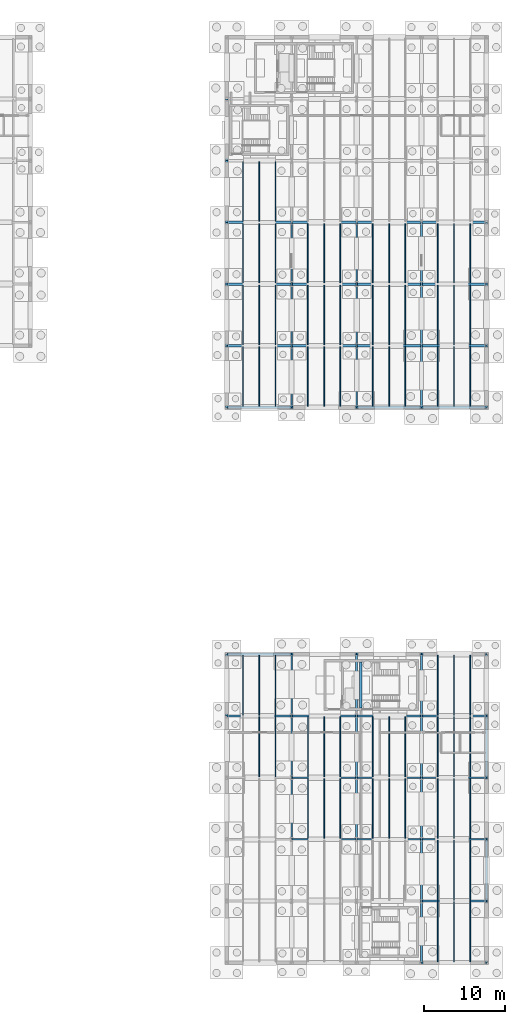
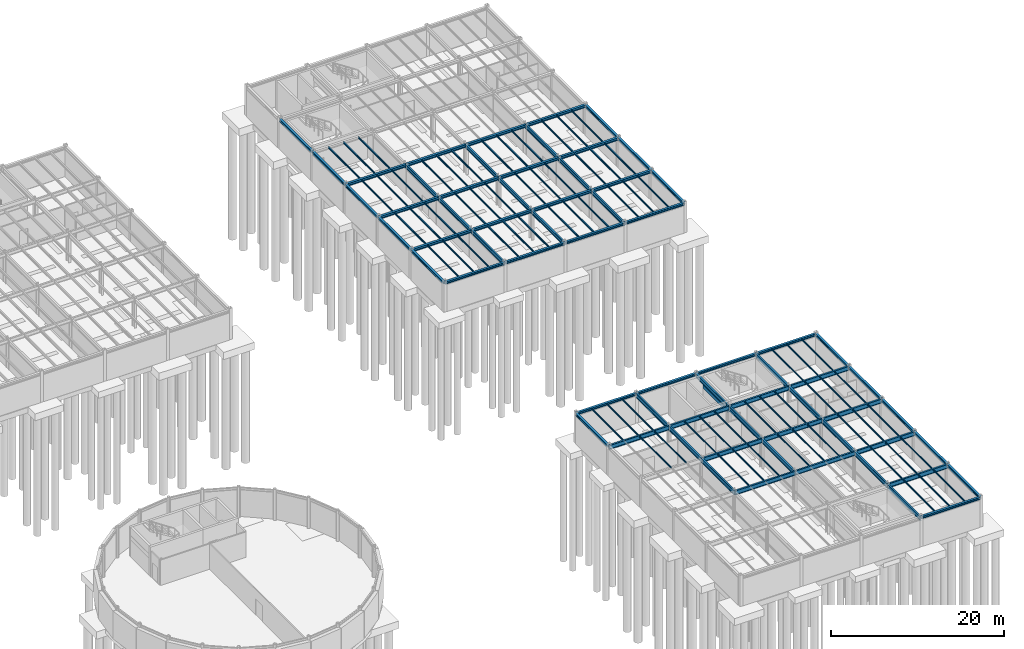
# One storey, part 22 of 33: 138 beams.
"""IFC4 building model written with IfcOpenShell, lengths in metres."""

from ifc_helpers import new_model, si_unit, direction, frame, origin, origin_2d, place, context, subcontext, project, spatial, rectangle, i_section, extrude, material, material_profile, profile_set, type_object, element, save


model = new_model("IFC4")

# Units and contexts
model_context = context("Model", 3, precision=1e-05, world=origin(), true_north=direction((0.0, 1.0)))
body_context = subcontext(model_context, "Body", "Model", "MODEL_VIEW")
ifc_project = project(units=[si_unit("LENGTHUNIT", "METRE"), si_unit("AREAUNIT", "SQUARE_METRE"), si_unit("VOLUMEUNIT", "CUBIC_METRE"), si_unit("PLANEANGLEUNIT", "RADIAN"), si_unit("MASSUNIT", "GRAM", prefix="KILO")], contexts=[model_context])

# Site, building, storey
site_placement = place(None, origin())
site = spatial("IfcSite", under=ifc_project, at=site_placement, CompositionType="ELEMENT")
building_placement = place(site_placement, origin())
building = spatial("IfcBuilding", under=site, at=building_placement, Name="Montecoro Central Library", CompositionType="ELEMENT")
storey_placement = place(building_placement, frame((0.0, 0.0, -4.419921875)))
storey = spatial("IfcBuildingStorey", under=building, at=storey_placement, Name="B1", CompositionType="ELEMENT", Elevation=-4.419921875)

# Beams
ifc_material_1 = material(Name="Steel S355", Category="steel")
ifc_material_profile_1 = material_profile(ifc_material_1, i_section(OverallWidth=0.300048828125, OverallDepth=0.389892578125, WebThickness=0.010986328125, FlangeThickness=0.01904296875, at=origin_2d()), Name="HEA 400")
ifc_profile_set_1 = profile_set([ifc_material_profile_1], Name="Steel S355")
beam_type_1 = type_object("IfcBeamType", Name="BM-G-HEA400", PredefinedType="USERDEFINED", material=ifc_profile_set_1)
for number, where, z_axis, x_axis, name in (
    (1, (141.0048828125, 81.0, 3.969970703125), (1.0, 0.0, 0.0), (0.0, 1.0, 0.0), "V5-B1-BX-1819-L"),
    (2, (149.0048828125, 81.0, 3.969970703125), (1.0, 0.0, 0.0), (0.0, 1.0, 0.0), "V5-B1-BX-1920-L"),
    (3, (157.0048828125, 81.0, 3.969970703125), (1.0, 0.0, 0.0), (0.0, 1.0, 0.0), "V5-B1-BX-2021-L"),
    (4, (165.0048828125, 81.0, 3.969970703125), (1.0, 0.0, 0.0), (0.0, 1.0, 0.0), "V5-B1-BX-2122-L"),
    (5, (141.0048828125, 88.60009765625, 3.969970703125), (1.0, 0.0, 0.0), (0.0, 1.0, 0.0), "V5-B1-BX-1819-M"),
    (6, (149.0048828125, 88.60009765625, 3.969970703125), (1.0, 0.0, 0.0), (0.0, 1.0, 0.0), "V5-B1-BX-1920-M"),
    (7, (157.0048828125, 88.60009765625, 3.969970703125), (1.0, 0.0, 0.0), (0.0, 1.0, 0.0), "V5-B1-BX-2021-M"),
    (8, (165.0048828125, 88.60009765625, 3.969970703125), (1.0, 0.0, 0.0), (0.0, 1.0, 0.0), "V5-B1-BX-2122-M"),
    (9, (141.0048828125, 96.199951171875, 3.969970703125), (1.0, 0.0, 0.0), (0.0, 1.0, 0.0), "V5-B1-BX-1819-N"),
    (10, (149.0048828125, 96.199951171875, 3.969970703125), (1.0, 0.0, 0.0), (0.0, 1.0, 0.0), "V5-B1-BX-1920-N"),
    (11, (157.0048828125, 96.199951171875, 3.969970703125), (1.0, 0.0, 0.0), (0.0, 1.0, 0.0), "V5-B1-BX-2021-N"),
    (12, (165.0048828125, 96.199951171875, 3.969970703125), (1.0, 0.0, 0.0), (0.0, 1.0, 0.0), "V5-B1-BX-2122-N"),
):
    element("IfcBeam", number, at=place(storey_placement, frame(where, z_axis=z_axis, x_axis=x_axis)), inside=storey, type_object=beam_type_1, Name=name, ObjectType="GIRDER", PredefinedType="USERDEFINED", context=body_context, shape_type="SweptSolid", body=[
        extrude(i_section(OverallWidth=0.300048828125, OverallDepth=0.389892578125, WebThickness=0.010986328125, FlangeThickness=0.01904296875, at=origin_2d()), origin(), (0.0, 0.0, 1.0), 7.990234375),
    ])
ifc_material_2 = material(Name="Steel S355J2", Category="steel")
ifc_material_profile_2 = material_profile(ifc_material_2, i_section(OverallWidth=0.2099609375, OverallDepth=0.550048828125, WebThickness=0.010986328125, FlangeThickness=0.01708984375, at=origin_2d()), Name="IPE 550")
ifc_profile_set_2 = profile_set([ifc_material_profile_2], Name="Steel S355J2")
beam_type_2 = type_object("IfcBeamType", Name="BM-G-IPE550", PredefinedType="USERDEFINED", material=ifc_profile_set_2)
for number, where, z_axis, x_axis, name in (
    (13, (149.0, 73.405029296875, 3.889892578125), (0.0, 1.0, 0.0), (-1.0, 0.0, 0.0), "V5-B1-BY-19-KL"),
    (14, (149.0, 81.0048828125, 3.889892578125), (0.0, 1.0, 0.0), (-1.0, 0.0, 0.0), "V5-B1-BY-19-LM"),
    (15, (149.0, 88.60498046875, 3.889892578125), (0.0, 1.0, 0.0), (-1.0, 0.0, 0.0), "V5-B1-BY-19-MN"),
    (16, (157.0, 73.405029296875, 3.889892578125), (0.0, 1.0, 0.0), (-1.0, 0.0, 0.0), "V5-B1-BY-20-KL"),
    (17, (157.0, 81.0048828125, 3.889892578125), (0.0, 1.0, 0.0), (-1.0, 0.0, 0.0), "V5-B1-BY-20-LM"),
    (18, (157.0, 88.60498046875, 3.889892578125), (0.0, 1.0, 0.0), (-1.0, 0.0, 0.0), "V5-B1-BY-20-MN"),
    (19, (165.0, 73.405029296875, 3.889892578125), (0.0, 1.0, 0.0), (-1.0, 0.0, 0.0), "V5-B1-BY-21-KL"),
    (20, (165.0, 81.0048828125, 3.889892578125), (0.0, 1.0, 0.0), (-1.0, 0.0, 0.0), "V5-B1-BY-21-LM"),
    (21, (165.0, 88.60498046875, 3.889892578125), (0.0, 1.0, 0.0), (-1.0, 0.0, 0.0), "V5-B1-BY-21-MN"),
):
    element("IfcBeam", number, at=place(storey_placement, frame(where, z_axis=z_axis, x_axis=x_axis)), inside=storey, type_object=beam_type_2, Name=name, ObjectType="GIRDER", PredefinedType="USERDEFINED", context=body_context, shape_type="SweptSolid", body=[
        extrude(i_section(OverallWidth=0.2099609375, OverallDepth=0.550048828125, WebThickness=0.010986328125, FlangeThickness=0.01708984375, at=origin_2d()), origin(), (0.0, 0.0, 1.0), 7.590087890625),
    ])
ifc_material_profile_3 = material_profile(ifc_material_2, i_section(OverallWidth=0.219970703125, OverallDepth=0.60009765625, WebThickness=0.011962890625, FlangeThickness=0.01904296875, at=origin_2d()), Name="IPE 600")
ifc_profile_set_3 = profile_set([ifc_material_profile_3], Name="Steel S355J2")
beam_type_3 = type_object("IfcBeamType", Name="BM-G-IPE600", PredefinedType="USERDEFINED", material=ifc_profile_set_3)
for number, where, z_axis, x_axis, name in (
    (22, (165.0048828125, 12.60009765625, 3.864990234375), (1.0, 0.0, 0.0), (0.0, 1.0, 0.0), "V6-B1-BX-2122-B"),
    (23, (149.0048828125, 20.199951171875, 3.864990234375), (1.0, 0.0, 0.0), (0.0, 1.0, 0.0), "V6-B1-BX-1920-C"),
    (24, (157.0048828125, 20.199951171875, 3.864990234375), (1.0, 0.0, 0.0), (0.0, 1.0, 0.0), "V6-B1-BX-2021-C"),
    (25, (165.0048828125, 20.199951171875, 3.864990234375), (1.0, 0.0, 0.0), (0.0, 1.0, 0.0), "V6-B1-BX-2122-C"),
    (26, (149.0048828125, 27.800048828125, 3.864990234375), (1.0, 0.0, 0.0), (0.0, 1.0, 0.0), "V6-B1-BX-1920-D"),
    (27, (157.0048828125, 27.800048828125, 3.864990234375), (1.0, 0.0, 0.0), (0.0, 1.0, 0.0), "V6-B1-BX-2021-D"),
    (28, (165.0048828125, 27.800048828125, 3.864990234375), (1.0, 0.0, 0.0), (0.0, 1.0, 0.0), "V6-B1-BX-2122-D"),
    (29, (141.0048828125, 35.39990234375, 3.864990234375), (1.0, 0.0, 0.0), (0.0, 1.0, 0.0), "V6-B1-BX-1819-E"),
    (30, (149.0048828125, 35.39990234375, 3.864990234375), (1.0, 0.0, 0.0), (0.0, 1.0, 0.0), "V6-B1-BX-1920-E"),
    (31, (157.0048828125, 35.39990234375, 3.864990234375), (1.0, 0.0, 0.0), (0.0, 1.0, 0.0), "V6-B1-BX-2021-E"),
    (32, (165.0048828125, 35.39990234375, 3.864990234375), (1.0, 0.0, 0.0), (0.0, 1.0, 0.0), "V6-B1-BX-2122-E"),
):
    element("IfcBeam", number, at=place(storey_placement, frame(where, z_axis=z_axis, x_axis=x_axis)), inside=storey, type_object=beam_type_3, Name=name, ObjectType="GIRDER", PredefinedType="USERDEFINED", context=body_context, shape_type="SweptSolid", body=[
        extrude(i_section(OverallWidth=0.219970703125, OverallDepth=0.60009765625, WebThickness=0.011962890625, FlangeThickness=0.01904296875, at=origin_2d()), origin(), (0.0, 0.0, 1.0), 7.990234375),
    ])
beam_1_placement = place(storey_placement, frame((149.0, 20.205078125, 3.864990234375), z_axis=(0.0, 1.0, 0.0), x_axis=(-1.0, 0.0, 0.0)))
element("IfcBeam", 33, at=beam_1_placement, inside=storey, type_object=beam_type_3, Name="V6-B1-BY-19-CD", ObjectType="GIRDER", PredefinedType="USERDEFINED", context=body_context, shape_type="SweptSolid", body=[
    extrude(i_section(OverallWidth=0.219970703125, OverallDepth=0.60009765625, WebThickness=0.011962890625, FlangeThickness=0.01904296875, at=origin_2d()), origin(), (0.0, 0.0, 1.0), 7.58984375),
])
for number, where, z_axis, x_axis, name in (
    (34, (149.0, 27.804931640625, 3.864990234375), (0.0, 1.0, 0.0), (-1.0, 0.0, 0.0), "V6-B1-BY-19-DE"),
    (35, (149.0, 35.405029296875, 3.864990234375), (0.0, 1.0, 0.0), (-1.0, 0.0, 0.0), "V6-B1-BY-19-EF"),
):
    element("IfcBeam", number, at=place(storey_placement, frame(where, z_axis=z_axis, x_axis=x_axis)), inside=storey, type_object=beam_type_3, Name=name, ObjectType="GIRDER", PredefinedType="USERDEFINED", context=body_context, shape_type="SweptSolid", body=[
        extrude(i_section(OverallWidth=0.219970703125, OverallDepth=0.60009765625, WebThickness=0.011962890625, FlangeThickness=0.01904296875, at=origin_2d()), origin(), (0.0, 0.0, 1.0), 7.590087890625),
    ])
beam_2_placement = place(storey_placement, frame((157.0, 20.205078125, 3.864990234375), z_axis=(0.0, 1.0, 0.0), x_axis=(-1.0, 0.0, 0.0)))
element("IfcBeam", 36, at=beam_2_placement, inside=storey, type_object=beam_type_3, Name="V6-B1-BY-20-CD", ObjectType="GIRDER", PredefinedType="USERDEFINED", context=body_context, shape_type="SweptSolid", body=[
    extrude(i_section(OverallWidth=0.219970703125, OverallDepth=0.60009765625, WebThickness=0.011962890625, FlangeThickness=0.01904296875, at=origin_2d()), origin(), (0.0, 0.0, 1.0), 7.58984375),
])
for number, where, z_axis, x_axis, name in (
    (37, (157.0, 27.804931640625, 3.864990234375), (0.0, 1.0, 0.0), (-1.0, 0.0, 0.0), "V6-B1-BY-20-DE"),
    (38, (157.0, 35.405029296875, 3.864990234375), (0.0, 1.0, 0.0), (-1.0, 0.0, 0.0), "V6-B1-BY-20-EF"),
    (39, (165.0, 5.0048828125, 3.864990234375), (0.0, 1.0, 0.0), (-1.0, 0.0, 0.0), "V6-B1-BY-21-AB"),
    (40, (165.0, 12.60498046875, 3.864990234375), (0.0, 1.0, 0.0), (-1.0, 0.0, 0.0), "V6-B1-BY-21-BC"),
):
    element("IfcBeam", number, at=place(storey_placement, frame(where, z_axis=z_axis, x_axis=x_axis)), inside=storey, type_object=beam_type_3, Name=name, ObjectType="GIRDER", PredefinedType="USERDEFINED", context=body_context, shape_type="SweptSolid", body=[
        extrude(i_section(OverallWidth=0.219970703125, OverallDepth=0.60009765625, WebThickness=0.011962890625, FlangeThickness=0.01904296875, at=origin_2d()), origin(), (0.0, 0.0, 1.0), 7.590087890625),
    ])
beam_3_placement = place(storey_placement, frame((165.0, 20.205078125, 3.864990234375), z_axis=(0.0, 1.0, 0.0), x_axis=(-1.0, 0.0, 0.0)))
element("IfcBeam", 41, at=beam_3_placement, inside=storey, type_object=beam_type_3, Name="V6-B1-BY-21-CD", ObjectType="GIRDER", PredefinedType="USERDEFINED", context=body_context, shape_type="SweptSolid", body=[
    extrude(i_section(OverallWidth=0.219970703125, OverallDepth=0.60009765625, WebThickness=0.011962890625, FlangeThickness=0.01904296875, at=origin_2d()), origin(), (0.0, 0.0, 1.0), 7.58984375),
])
for number, where, z_axis, x_axis, name in (
    (42, (165.0, 27.804931640625, 3.864990234375), (0.0, 1.0, 0.0), (-1.0, 0.0, 0.0), "V6-B1-BY-21-DE"),
    (43, (165.0, 35.405029296875, 3.864990234375), (0.0, 1.0, 0.0), (-1.0, 0.0, 0.0), "V6-B1-BY-21-EF"),
):
    element("IfcBeam", number, at=place(storey_placement, frame(where, z_axis=z_axis, x_axis=x_axis)), inside=storey, type_object=beam_type_3, Name=name, ObjectType="GIRDER", PredefinedType="USERDEFINED", context=body_context, shape_type="SweptSolid", body=[
        extrude(i_section(OverallWidth=0.219970703125, OverallDepth=0.60009765625, WebThickness=0.011962890625, FlangeThickness=0.01904296875, at=origin_2d()), origin(), (0.0, 0.0, 1.0), 7.590087890625),
    ])
ifc_material_profile_4 = material_profile(ifc_material_1, i_section(OverallWidth=0.10009765625, OverallDepth=0.199951171875, WebThickness=0.005615234375, FlangeThickness=0.008544921875, at=origin_2d()), Name="IPE 200")
ifc_profile_set_4 = profile_set([ifc_material_profile_4], Name="Steel S355")
beam_type_4 = type_object("IfcBeamType", Name="BM-J-IPE200", PredefinedType="JOIST", material=ifc_profile_set_4)
for number, where, z_axis, x_axis, name in (
    (44, (145.0, 27.906982421875, 4.06494140625), (0.0, 1.0, 0.0), (-1.0, 0.0, 0.0), "V6-B1-JS-1819-DE-2"),
    (45, (147.0, 27.906982421875, 4.06494140625), (0.0, 1.0, 0.0), (-1.0, 0.0, 0.0), "V6-B1-JS-1819-DE-3"),
):
    element("IfcBeam", number, at=place(storey_placement, frame(where, z_axis=z_axis, x_axis=x_axis)), inside=storey, type_object=beam_type_4, Name=name, PredefinedType="JOIST", context=body_context, shape_type="SweptSolid", body=[
        extrude(i_section(OverallWidth=0.10009765625, OverallDepth=0.199951171875, WebThickness=0.005615234375, FlangeThickness=0.008544921875, at=origin_2d()), origin(), (0.0, 0.0, 1.0), 7.385986328125),
    ])
for number, where, z_axis, x_axis, name in (
    (46, (143.0, 35.507080078125, 4.06494140625), (0.0, 1.0, 0.0), (-1.0, 0.0, 0.0), "V6-B1-JS-1819-EF-1"),
    (47, (145.0, 35.507080078125, 4.06494140625), (0.0, 1.0, 0.0), (-1.0, 0.0, 0.0), "V6-B1-JS-1819-EF-2"),
    (48, (147.0, 35.507080078125, 4.06494140625), (0.0, 1.0, 0.0), (-1.0, 0.0, 0.0), "V6-B1-JS-1819-EF-3"),
):
    element("IfcBeam", number, at=place(storey_placement, frame(where, z_axis=z_axis, x_axis=x_axis)), inside=storey, type_object=beam_type_4, Name=name, PredefinedType="JOIST", context=body_context, shape_type="SweptSolid", body=[
        extrude(i_section(OverallWidth=0.10009765625, OverallDepth=0.199951171875, WebThickness=0.005615234375, FlangeThickness=0.008544921875, at=origin_2d()), origin(), (0.0, 0.0, 1.0), 7.345947265625),
    ])
for number, where, z_axis, x_axis, name in (
    (49, (151.0, 20.306884765625, 4.06494140625), (0.0, 1.0, 0.0), (-1.0, 0.0, 0.0), "V6-B1-JS-1920-CD-1"),
    (50, (153.0, 20.306884765625, 4.06494140625), (0.0, 1.0, 0.0), (-1.0, 0.0, 0.0), "V6-B1-JS-1920-CD-2"),
    (51, (155.0, 20.306884765625, 4.06494140625), (0.0, 1.0, 0.0), (-1.0, 0.0, 0.0), "V6-B1-JS-1920-CD-3"),
):
    element("IfcBeam", number, at=place(storey_placement, frame(where, z_axis=z_axis, x_axis=x_axis)), inside=storey, type_object=beam_type_4, Name=name, PredefinedType="JOIST", context=body_context, shape_type="SweptSolid", body=[
        extrude(i_section(OverallWidth=0.10009765625, OverallDepth=0.199951171875, WebThickness=0.005615234375, FlangeThickness=0.008544921875, at=origin_2d()), origin(), (0.0, 0.0, 1.0), 7.38623046875),
    ])
for number, where, z_axis, x_axis, name in (
    (52, (151.0, 27.906982421875, 4.06494140625), (0.0, 1.0, 0.0), (-1.0, 0.0, 0.0), "V6-B1-JS-1920-DE-1"),
    (53, (153.0, 27.906982421875, 4.06494140625), (0.0, 1.0, 0.0), (-1.0, 0.0, 0.0), "V6-B1-JS-1920-DE-2"),
    (54, (155.0, 27.906982421875, 4.06494140625), (0.0, 1.0, 0.0), (-1.0, 0.0, 0.0), "V6-B1-JS-1920-DE-3"),
):
    element("IfcBeam", number, at=place(storey_placement, frame(where, z_axis=z_axis, x_axis=x_axis)), inside=storey, type_object=beam_type_4, Name=name, PredefinedType="JOIST", context=body_context, shape_type="SweptSolid", body=[
        extrude(i_section(OverallWidth=0.10009765625, OverallDepth=0.199951171875, WebThickness=0.005615234375, FlangeThickness=0.008544921875, at=origin_2d()), origin(), (0.0, 0.0, 1.0), 7.385986328125),
    ])
for number, where, z_axis, x_axis, name in (
    (55, (159.0, 20.306884765625, 4.06494140625), (0.0, 1.0, 0.0), (-1.0, 0.0, 0.0), "V6-B1-JS-2021-CD-1"),
    (56, (161.0, 20.306884765625, 4.06494140625), (0.0, 1.0, 0.0), (-1.0, 0.0, 0.0), "V6-B1-JS-2021-CD-2"),
    (57, (163.0, 20.306884765625, 4.06494140625), (0.0, 1.0, 0.0), (-1.0, 0.0, 0.0), "V6-B1-JS-2021-CD-3"),
):
    element("IfcBeam", number, at=place(storey_placement, frame(where, z_axis=z_axis, x_axis=x_axis)), inside=storey, type_object=beam_type_4, Name=name, PredefinedType="JOIST", context=body_context, shape_type="SweptSolid", body=[
        extrude(i_section(OverallWidth=0.10009765625, OverallDepth=0.199951171875, WebThickness=0.005615234375, FlangeThickness=0.008544921875, at=origin_2d()), origin(), (0.0, 0.0, 1.0), 7.38623046875),
    ])
for number, where, z_axis, x_axis, name in (
    (58, (159.0, 27.906982421875, 4.06494140625), (0.0, 1.0, 0.0), (-1.0, 0.0, 0.0), "V6-B1-JS-2021-DE-1"),
    (59, (161.0, 27.906982421875, 4.06494140625), (0.0, 1.0, 0.0), (-1.0, 0.0, 0.0), "V6-B1-JS-2021-DE-2"),
    (60, (163.0, 27.906982421875, 4.06494140625), (0.0, 1.0, 0.0), (-1.0, 0.0, 0.0), "V6-B1-JS-2021-DE-3"),
):
    element("IfcBeam", number, at=place(storey_placement, frame(where, z_axis=z_axis, x_axis=x_axis)), inside=storey, type_object=beam_type_4, Name=name, PredefinedType="JOIST", context=body_context, shape_type="SweptSolid", body=[
        extrude(i_section(OverallWidth=0.10009765625, OverallDepth=0.199951171875, WebThickness=0.005615234375, FlangeThickness=0.008544921875, at=origin_2d()), origin(), (0.0, 0.0, 1.0), 7.385986328125),
    ])
for number, where, z_axis, x_axis, name in (
    (61, (167.0, 5.14697265625, 4.06494140625), (0.0, 1.0, 0.0), (-1.0, 0.0, 0.0), "V6-B1-JS-2122-AB-1"),
    (62, (169.0, 5.14697265625, 4.06494140625), (0.0, 1.0, 0.0), (-1.0, 0.0, 0.0), "V6-B1-JS-2122-AB-2"),
    (63, (171.0, 5.14697265625, 4.06494140625), (0.0, 1.0, 0.0), (-1.0, 0.0, 0.0), "V6-B1-JS-2122-AB-3"),
):
    element("IfcBeam", number, at=place(storey_placement, frame(where, z_axis=z_axis, x_axis=x_axis)), inside=storey, type_object=beam_type_4, Name=name, PredefinedType="JOIST", context=body_context, shape_type="SweptSolid", body=[
        extrude(i_section(OverallWidth=0.10009765625, OverallDepth=0.199951171875, WebThickness=0.005615234375, FlangeThickness=0.008544921875, at=origin_2d()), origin(), (0.0, 0.0, 1.0), 7.345947265625),
    ])
for number, where, z_axis, x_axis, name in (
    (64, (167.0, 12.70703125, 4.06494140625), (0.0, 1.0, 0.0), (-1.0, 0.0, 0.0), "V6-B1-JS-2122-BC-1"),
    (65, (169.0, 12.70703125, 4.06494140625), (0.0, 1.0, 0.0), (-1.0, 0.0, 0.0), "V6-B1-JS-2122-BC-2"),
    (66, (171.0, 12.70703125, 4.06494140625), (0.0, 1.0, 0.0), (-1.0, 0.0, 0.0), "V6-B1-JS-2122-BC-3"),
):
    element("IfcBeam", number, at=place(storey_placement, frame(where, z_axis=z_axis, x_axis=x_axis)), inside=storey, type_object=beam_type_4, Name=name, PredefinedType="JOIST", context=body_context, shape_type="SweptSolid", body=[
        extrude(i_section(OverallWidth=0.10009765625, OverallDepth=0.199951171875, WebThickness=0.005615234375, FlangeThickness=0.008544921875, at=origin_2d()), origin(), (0.0, 0.0, 1.0), 7.385986328125),
    ])
for number, where, z_axis, x_axis, name in (
    (67, (167.0, 20.306884765625, 4.06494140625), (0.0, 1.0, 0.0), (-1.0, 0.0, 0.0), "V6-B1-JS-2122-CD-1"),
    (68, (169.0, 20.306884765625, 4.06494140625), (0.0, 1.0, 0.0), (-1.0, 0.0, 0.0), "V6-B1-JS-2122-CD-2"),
    (69, (171.0, 20.306884765625, 4.06494140625), (0.0, 1.0, 0.0), (-1.0, 0.0, 0.0), "V6-B1-JS-2122-CD-3"),
):
    element("IfcBeam", number, at=place(storey_placement, frame(where, z_axis=z_axis, x_axis=x_axis)), inside=storey, type_object=beam_type_4, Name=name, PredefinedType="JOIST", context=body_context, shape_type="SweptSolid", body=[
        extrude(i_section(OverallWidth=0.10009765625, OverallDepth=0.199951171875, WebThickness=0.005615234375, FlangeThickness=0.008544921875, at=origin_2d()), origin(), (0.0, 0.0, 1.0), 7.38623046875),
    ])
for number, where, z_axis, x_axis, name in (
    (70, (167.0, 27.906982421875, 4.06494140625), (0.0, 1.0, 0.0), (-1.0, 0.0, 0.0), "V6-B1-JS-2122-DE-1"),
    (71, (169.0, 27.906982421875, 4.06494140625), (0.0, 1.0, 0.0), (-1.0, 0.0, 0.0), "V6-B1-JS-2122-DE-2"),
    (72, (171.0, 27.906982421875, 4.06494140625), (0.0, 1.0, 0.0), (-1.0, 0.0, 0.0), "V6-B1-JS-2122-DE-3"),
):
    element("IfcBeam", number, at=place(storey_placement, frame(where, z_axis=z_axis, x_axis=x_axis)), inside=storey, type_object=beam_type_4, Name=name, PredefinedType="JOIST", context=body_context, shape_type="SweptSolid", body=[
        extrude(i_section(OverallWidth=0.10009765625, OverallDepth=0.199951171875, WebThickness=0.005615234375, FlangeThickness=0.008544921875, at=origin_2d()), origin(), (0.0, 0.0, 1.0), 7.385986328125),
    ])
for number, where, z_axis, x_axis, name in (
    (73, (167.0, 35.507080078125, 4.06494140625), (0.0, 1.0, 0.0), (-1.0, 0.0, 0.0), "V6-B1-JS-2122-EF-1"),
    (74, (169.0, 35.507080078125, 4.06494140625), (0.0, 1.0, 0.0), (-1.0, 0.0, 0.0), "V6-B1-JS-2122-EF-2"),
    (75, (171.0, 35.507080078125, 4.06494140625), (0.0, 1.0, 0.0), (-1.0, 0.0, 0.0), "V6-B1-JS-2122-EF-3"),
):
    element("IfcBeam", number, at=place(storey_placement, frame(where, z_axis=z_axis, x_axis=x_axis)), inside=storey, type_object=beam_type_4, Name=name, PredefinedType="JOIST", context=body_context, shape_type="SweptSolid", body=[
        extrude(i_section(OverallWidth=0.10009765625, OverallDepth=0.199951171875, WebThickness=0.005615234375, FlangeThickness=0.008544921875, at=origin_2d()), origin(), (0.0, 0.0, 1.0), 7.345947265625),
    ])
ifc_material_profile_5 = material_profile(ifc_material_1, i_section(OverallWidth=0.110107421875, OverallDepth=0.219970703125, WebThickness=0.005859375, FlangeThickness=0.00927734375, at=origin_2d()), Name="IPE 220")
ifc_profile_set_5 = profile_set([ifc_material_profile_5], Name="Steel S355")
beam_type_5 = type_object("IfcBeamType", Name="BM-J-IPE220", PredefinedType="JOIST", material=ifc_profile_set_5)
for number, where, z_axis, x_axis, name in (
    (76, (143.0, 73.547119140625, 4.054931640625), (0.0, 1.0, 0.0), (-1.0, 0.0, 0.0), "V5-B1-JS-1819-KL-1"),
    (77, (145.0, 73.547119140625, 4.054931640625), (0.0, 1.0, 0.0), (-1.0, 0.0, 0.0), "V5-B1-JS-1819-KL-2"),
    (78, (147.0, 73.547119140625, 4.054931640625), (0.0, 1.0, 0.0), (-1.0, 0.0, 0.0), "V5-B1-JS-1819-KL-3"),
    (79, (143.0, 81.14697265625, 4.054931640625), (0.0, 1.0, 0.0), (-1.0, 0.0, 0.0), "V5-B1-JS-1819-LM-1"),
    (80, (145.0, 81.14697265625, 4.054931640625), (0.0, 1.0, 0.0), (-1.0, 0.0, 0.0), "V5-B1-JS-1819-LM-2"),
    (81, (147.0, 81.14697265625, 4.054931640625), (0.0, 1.0, 0.0), (-1.0, 0.0, 0.0), "V5-B1-JS-1819-LM-3"),
    (82, (143.0, 88.7470703125, 4.054931640625), (0.0, 1.0, 0.0), (-1.0, 0.0, 0.0), "V5-B1-JS-1819-MN-1"),
    (83, (145.0, 88.7470703125, 4.054931640625), (0.0, 1.0, 0.0), (-1.0, 0.0, 0.0), "V5-B1-JS-1819-MN-2"),
    (84, (147.0, 88.7470703125, 4.054931640625), (0.0, 1.0, 0.0), (-1.0, 0.0, 0.0), "V5-B1-JS-1819-MN-3"),
):
    element("IfcBeam", number, at=place(storey_placement, frame(where, z_axis=z_axis, x_axis=x_axis)), inside=storey, type_object=beam_type_5, Name=name, PredefinedType="JOIST", context=body_context, shape_type="SweptSolid", body=[
        extrude(i_section(OverallWidth=0.110107421875, OverallDepth=0.219970703125, WebThickness=0.005859375, FlangeThickness=0.00927734375, at=origin_2d()), origin(), (0.0, 0.0, 1.0), 7.305908203125),
    ])
for number, where, z_axis, x_axis, name in (
    (85, (143.0, 96.346923828125, 4.054931640625), (0.0, 1.0, 0.0), (-1.0, 0.0, 0.0), "V5-B1-JS-1819-NP-1"),
    (86, (145.0, 96.346923828125, 4.054931640625), (0.0, 1.0, 0.0), (-1.0, 0.0, 0.0), "V5-B1-JS-1819-NP-2"),
    (87, (147.0, 96.346923828125, 4.054931640625), (0.0, 1.0, 0.0), (-1.0, 0.0, 0.0), "V5-B1-JS-1819-NP-3"),
):
    element("IfcBeam", number, at=place(storey_placement, frame(where, z_axis=z_axis, x_axis=x_axis)), inside=storey, type_object=beam_type_5, Name=name, PredefinedType="JOIST", context=body_context, shape_type="SweptSolid", body=[
        extrude(i_section(OverallWidth=0.110107421875, OverallDepth=0.219970703125, WebThickness=0.005859375, FlangeThickness=0.00927734375, at=origin_2d()), origin(), (0.0, 0.0, 1.0), 7.30615234375),
    ])
for number, where, z_axis, x_axis, name in (
    (88, (151.0, 73.547119140625, 4.054931640625), (0.0, 1.0, 0.0), (-1.0, 0.0, 0.0), "V5-B1-JS-1920-KL-1"),
    (89, (153.0, 73.547119140625, 4.054931640625), (0.0, 1.0, 0.0), (-1.0, 0.0, 0.0), "V5-B1-JS-1920-KL-2"),
    (90, (155.0, 73.547119140625, 4.054931640625), (0.0, 1.0, 0.0), (-1.0, 0.0, 0.0), "V5-B1-JS-1920-KL-3"),
    (91, (151.0, 81.14697265625, 4.054931640625), (0.0, 1.0, 0.0), (-1.0, 0.0, 0.0), "V5-B1-JS-1920-LM-1"),
    (92, (153.0, 81.14697265625, 4.054931640625), (0.0, 1.0, 0.0), (-1.0, 0.0, 0.0), "V5-B1-JS-1920-LM-2"),
    (93, (155.0, 81.14697265625, 4.054931640625), (0.0, 1.0, 0.0), (-1.0, 0.0, 0.0), "V5-B1-JS-1920-LM-3"),
    (94, (151.0, 88.7470703125, 4.054931640625), (0.0, 1.0, 0.0), (-1.0, 0.0, 0.0), "V5-B1-JS-1920-MN-1"),
    (95, (153.0, 88.7470703125, 4.054931640625), (0.0, 1.0, 0.0), (-1.0, 0.0, 0.0), "V5-B1-JS-1920-MN-2"),
    (96, (155.0, 88.7470703125, 4.054931640625), (0.0, 1.0, 0.0), (-1.0, 0.0, 0.0), "V5-B1-JS-1920-MN-3"),
    (97, (159.0, 73.547119140625, 4.054931640625), (0.0, 1.0, 0.0), (-1.0, 0.0, 0.0), "V5-B1-JS-2021-KL-1"),
    (98, (161.0, 73.547119140625, 4.054931640625), (0.0, 1.0, 0.0), (-1.0, 0.0, 0.0), "V5-B1-JS-2021-KL-2"),
    (99, (163.0, 73.547119140625, 4.054931640625), (0.0, 1.0, 0.0), (-1.0, 0.0, 0.0), "V5-B1-JS-2021-KL-3"),
    (100, (159.0, 81.14697265625, 4.054931640625), (0.0, 1.0, 0.0), (-1.0, 0.0, 0.0), "V5-B1-JS-2021-LM-1"),
    (101, (161.0, 81.14697265625, 4.054931640625), (0.0, 1.0, 0.0), (-1.0, 0.0, 0.0), "V5-B1-JS-2021-LM-2"),
    (102, (163.0, 81.14697265625, 4.054931640625), (0.0, 1.0, 0.0), (-1.0, 0.0, 0.0), "V5-B1-JS-2021-LM-3"),
    (103, (159.0, 88.7470703125, 4.054931640625), (0.0, 1.0, 0.0), (-1.0, 0.0, 0.0), "V5-B1-JS-2021-MN-1"),
    (104, (161.0, 88.7470703125, 4.054931640625), (0.0, 1.0, 0.0), (-1.0, 0.0, 0.0), "V5-B1-JS-2021-MN-2"),
    (105, (163.0, 88.7470703125, 4.054931640625), (0.0, 1.0, 0.0), (-1.0, 0.0, 0.0), "V5-B1-JS-2021-MN-3"),
    (106, (167.0, 73.547119140625, 4.054931640625), (0.0, 1.0, 0.0), (-1.0, 0.0, 0.0), "V5-B1-JS-2122-KL-1"),
    (107, (169.0, 73.547119140625, 4.054931640625), (0.0, 1.0, 0.0), (-1.0, 0.0, 0.0), "V5-B1-JS-2122-KL-2"),
    (108, (171.0, 73.547119140625, 4.054931640625), (0.0, 1.0, 0.0), (-1.0, 0.0, 0.0), "V5-B1-JS-2122-KL-3"),
    (109, (167.0, 81.14697265625, 4.054931640625), (0.0, 1.0, 0.0), (-1.0, 0.0, 0.0), "V5-B1-JS-2122-LM-1"),
    (110, (169.0, 81.14697265625, 4.054931640625), (0.0, 1.0, 0.0), (-1.0, 0.0, 0.0), "V5-B1-JS-2122-LM-2"),
    (111, (171.0, 81.14697265625, 4.054931640625), (0.0, 1.0, 0.0), (-1.0, 0.0, 0.0), "V5-B1-JS-2122-LM-3"),
    (112, (167.0, 88.7470703125, 4.054931640625), (0.0, 1.0, 0.0), (-1.0, 0.0, 0.0), "V5-B1-JS-2122-MN-1"),
    (113, (169.0, 88.7470703125, 4.054931640625), (0.0, 1.0, 0.0), (-1.0, 0.0, 0.0), "V5-B1-JS-2122-MN-2"),
    (114, (171.0, 88.7470703125, 4.054931640625), (0.0, 1.0, 0.0), (-1.0, 0.0, 0.0), "V5-B1-JS-2122-MN-3"),
):
    element("IfcBeam", number, at=place(storey_placement, frame(where, z_axis=z_axis, x_axis=x_axis)), inside=storey, type_object=beam_type_5, Name=name, PredefinedType="JOIST", context=body_context, shape_type="SweptSolid", body=[
        extrude(i_section(OverallWidth=0.110107421875, OverallDepth=0.219970703125, WebThickness=0.005859375, FlangeThickness=0.00927734375, at=origin_2d()), origin(), (0.0, 0.0, 1.0), 7.305908203125),
    ])
ifc_material_3 = material(Name="Concrete C35/45", Category="concrete")
ifc_material_profile_6 = material_profile(ifc_material_3, rectangle(XDim=0.300048828125, YDim=0.449951171875, at=origin_2d()), Name="RC LNT 450x300")
ifc_profile_set_6 = profile_set([ifc_material_profile_6], Name="Concrete C35/45")
beam_type_6 = type_object("IfcBeamType", Name="BM-LN-RC02", PredefinedType="LINTEL", material=ifc_profile_set_6)
beam_4_placement = place(storey_placement, frame((157.5, 36.35009765625, 2.6748046875), z_axis=(0.0, 1.0, 0.0), x_axis=(-1.0, 0.0, 0.0)))
element("IfcBeam", 115, at=beam_4_placement, inside=storey, type_object=beam_type_6, Name="C7-B1-LNT", PredefinedType="LINTEL", context=body_context, shape_type="SweptSolid", body=[
    extrude(rectangle(XDim=0.300048828125, YDim=0.449951171875, at=origin_2d()), origin(), (0.0, 0.0, 1.0), 5.699951171875),
])
ifc_material_profile_7 = material_profile(ifc_material_1, i_section(OverallWidth=0.300048828125, OverallDepth=0.330078125, WebThickness=0.009521484375, FlangeThickness=0.0166015625, at=origin_2d()), Name="HEA 340")
ifc_profile_set_7 = profile_set([ifc_material_profile_7], Name="Steel S355")
beam_type_7 = type_object("IfcBeamType", Name="BM-SP-HEA340", PredefinedType="SPANDREL", material=ifc_profile_set_7)
for number, where, z_axis, x_axis, name in (
    (116, (141.0048828125, 73.39990234375, 4.0), (1.0, 0.0, 0.0), (0.0, 1.0, 0.0), "V5-B1-BX-1819-K"),
    (117, (149.0048828125, 73.39990234375, 4.0), (1.0, 0.0, 0.0), (0.0, 1.0, 0.0), "V5-B1-BX-1920-K"),
    (118, (157.0048828125, 73.39990234375, 4.0), (1.0, 0.0, 0.0), (0.0, 1.0, 0.0), "V5-B1-BX-2021-K"),
    (119, (165.0048828125, 73.39990234375, 4.0), (1.0, 0.0, 0.0), (0.0, 1.0, 0.0), "V5-B1-BX-2122-K"),
):
    element("IfcBeam", number, at=place(storey_placement, frame(where, z_axis=z_axis, x_axis=x_axis)), inside=storey, type_object=beam_type_7, Name=name, PredefinedType="SPANDREL", context=body_context, shape_type="SweptSolid", body=[
        extrude(i_section(OverallWidth=0.300048828125, OverallDepth=0.330078125, WebThickness=0.009521484375, FlangeThickness=0.0166015625, at=origin_2d()), origin(), (0.0, 0.0, 1.0), 7.990234375),
    ])
for number, where, z_axis, x_axis, name in (
    (120, (141.0, 73.405029296875, 4.0), (0.0, 1.0, 0.0), (-1.0, 0.0, 0.0), "V5-B1-BY-18-KL"),
    (121, (141.0, 81.0048828125, 4.0), (0.0, 1.0, 0.0), (-1.0, 0.0, 0.0), "V5-B1-BY-18-LM"),
    (122, (141.0, 88.60498046875, 4.0), (0.0, 1.0, 0.0), (-1.0, 0.0, 0.0), "V5-B1-BY-18-MN"),
):
    element("IfcBeam", number, at=place(storey_placement, frame(where, z_axis=z_axis, x_axis=x_axis)), inside=storey, type_object=beam_type_7, Name=name, PredefinedType="SPANDREL", context=body_context, shape_type="SweptSolid", body=[
        extrude(i_section(OverallWidth=0.300048828125, OverallDepth=0.330078125, WebThickness=0.009521484375, FlangeThickness=0.0166015625, at=origin_2d()), origin(), (0.0, 0.0, 1.0), 7.590087890625),
    ])
beam_5_placement = place(storey_placement, frame((141.0, 96.205078125, 4.0), z_axis=(0.0, 1.0, 0.0), x_axis=(-1.0, 0.0, 0.0)))
element("IfcBeam", 123, at=beam_5_placement, inside=storey, type_object=beam_type_7, Name="V5-B1-BY-18-NP", PredefinedType="SPANDREL", context=body_context, shape_type="SweptSolid", body=[
    extrude(i_section(OverallWidth=0.300048828125, OverallDepth=0.330078125, WebThickness=0.009521484375, FlangeThickness=0.0166015625, at=origin_2d()), origin(), (0.0, 0.0, 1.0), 7.58984375),
])
for number, where, z_axis, x_axis, name in (
    (124, (141.0, 103.804931640625, 4.0), (0.0, 1.0, 0.0), (-1.0, 0.0, 0.0), "V5-B1-BY-18-PQ"),
    (125, (173.0, 73.405029296875, 4.0), (0.0, 1.0, 0.0), (-1.0, 0.0, 0.0), "V5-B1-BY-22-KL"),
    (126, (173.0, 81.0048828125, 4.0), (0.0, 1.0, 0.0), (-1.0, 0.0, 0.0), "V5-B1-BY-22-LM"),
    (127, (173.0, 88.60498046875, 4.0), (0.0, 1.0, 0.0), (-1.0, 0.0, 0.0), "V5-B1-BY-22-MN"),
):
    element("IfcBeam", number, at=place(storey_placement, frame(where, z_axis=z_axis, x_axis=x_axis)), inside=storey, type_object=beam_type_7, Name=name, PredefinedType="SPANDREL", context=body_context, shape_type="SweptSolid", body=[
        extrude(i_section(OverallWidth=0.300048828125, OverallDepth=0.330078125, WebThickness=0.009521484375, FlangeThickness=0.0166015625, at=origin_2d()), origin(), (0.0, 0.0, 1.0), 7.590087890625),
    ])
for number, where, z_axis, x_axis, name in (
    (128, (165.0048828125, 5.0, 4.0), (1.0, 0.0, 0.0), (0.0, 1.0, 0.0), "V6-B1-BX-2122-A"),
    (129, (141.0048828125, 43.0, 4.0), (1.0, 0.0, 0.0), (0.0, 1.0, 0.0), "V6-B1-BX-1819-F"),
    (130, (149.0048828125, 43.0, 4.0), (1.0, 0.0, 0.0), (0.0, 1.0, 0.0), "V6-B1-BX-1920-F"),
    (131, (157.0048828125, 43.0, 4.0), (1.0, 0.0, 0.0), (0.0, 1.0, 0.0), "V6-B1-BX-2021-F"),
    (132, (165.0048828125, 43.0, 4.0), (1.0, 0.0, 0.0), (0.0, 1.0, 0.0), "V6-B1-BX-2122-F"),
):
    element("IfcBeam", number, at=place(storey_placement, frame(where, z_axis=z_axis, x_axis=x_axis)), inside=storey, type_object=beam_type_7, Name=name, PredefinedType="SPANDREL", context=body_context, shape_type="SweptSolid", body=[
        extrude(i_section(OverallWidth=0.300048828125, OverallDepth=0.330078125, WebThickness=0.009521484375, FlangeThickness=0.0166015625, at=origin_2d()), origin(), (0.0, 0.0, 1.0), 7.990234375),
    ])
for number, where, z_axis, x_axis, name in (
    (133, (141.0, 35.405029296875, 4.0), (0.0, 1.0, 0.0), (-1.0, 0.0, 0.0), "V6-B1-BY-18-EF"),
    (134, (173.0, 5.0048828125, 4.0), (0.0, 1.0, 0.0), (-1.0, 0.0, 0.0), "V6-B1-BY-22-AB"),
    (135, (173.0, 12.60498046875, 4.0), (0.0, 1.0, 0.0), (-1.0, 0.0, 0.0), "V6-B1-BY-22-BC"),
):
    element("IfcBeam", number, at=place(storey_placement, frame(where, z_axis=z_axis, x_axis=x_axis)), inside=storey, type_object=beam_type_7, Name=name, PredefinedType="SPANDREL", context=body_context, shape_type="SweptSolid", body=[
        extrude(i_section(OverallWidth=0.300048828125, OverallDepth=0.330078125, WebThickness=0.009521484375, FlangeThickness=0.0166015625, at=origin_2d()), origin(), (0.0, 0.0, 1.0), 7.590087890625),
    ])
beam_6_placement = place(storey_placement, frame((173.0, 20.205078125, 4.0), z_axis=(0.0, 1.0, 0.0), x_axis=(-1.0, 0.0, 0.0)))
element("IfcBeam", 136, at=beam_6_placement, inside=storey, type_object=beam_type_7, Name="V6-B1-BY-22-CD", PredefinedType="SPANDREL", context=body_context, shape_type="SweptSolid", body=[
    extrude(i_section(OverallWidth=0.300048828125, OverallDepth=0.330078125, WebThickness=0.009521484375, FlangeThickness=0.0166015625, at=origin_2d()), origin(), (0.0, 0.0, 1.0), 7.58984375),
])
for number, where, z_axis, x_axis, name in (
    (137, (173.0, 27.804931640625, 4.0), (0.0, 1.0, 0.0), (-1.0, 0.0, 0.0), "V6-B1-BY-22-DE"),
    (138, (173.0, 35.405029296875, 4.0), (0.0, 1.0, 0.0), (-1.0, 0.0, 0.0), "V6-B1-BY-22-EF"),
):
    element("IfcBeam", number, at=place(storey_placement, frame(where, z_axis=z_axis, x_axis=x_axis)), inside=storey, type_object=beam_type_7, Name=name, PredefinedType="SPANDREL", context=body_context, shape_type="SweptSolid", body=[
        extrude(i_section(OverallWidth=0.300048828125, OverallDepth=0.330078125, WebThickness=0.009521484375, FlangeThickness=0.0166015625, at=origin_2d()), origin(), (0.0, 0.0, 1.0), 7.590087890625),
    ])

save(model, "model.ifc")
